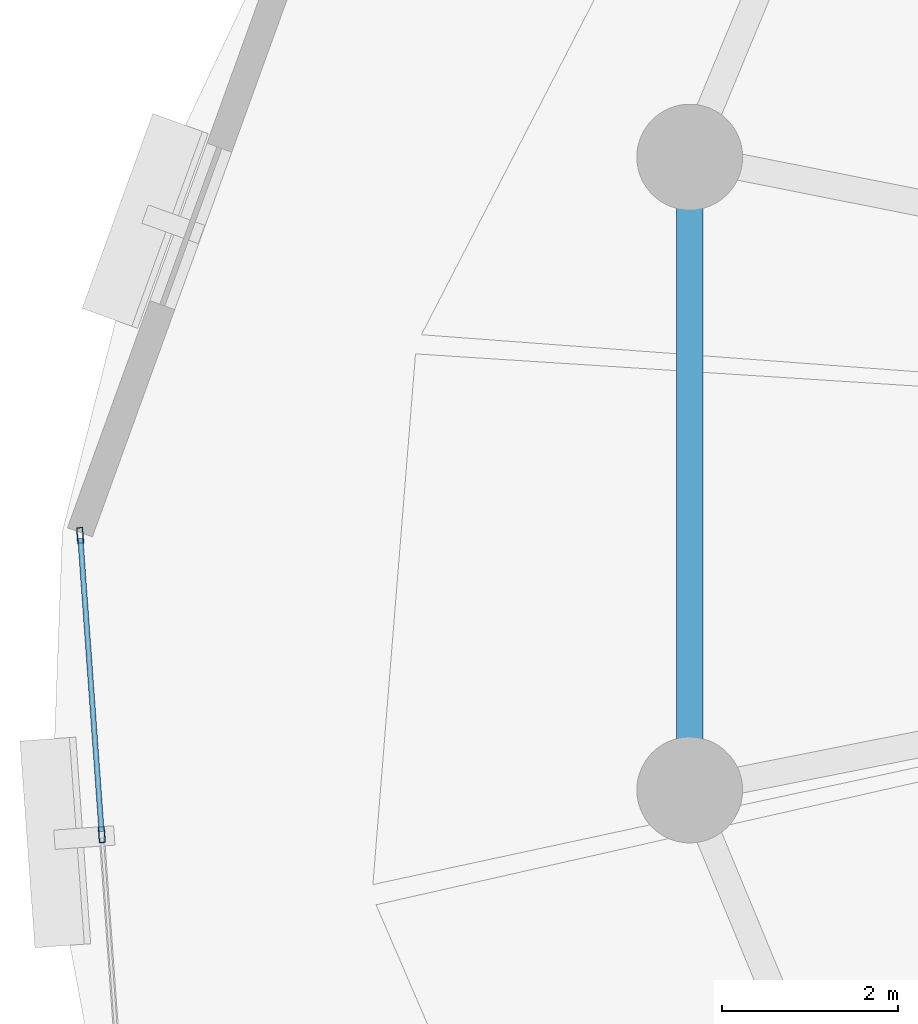
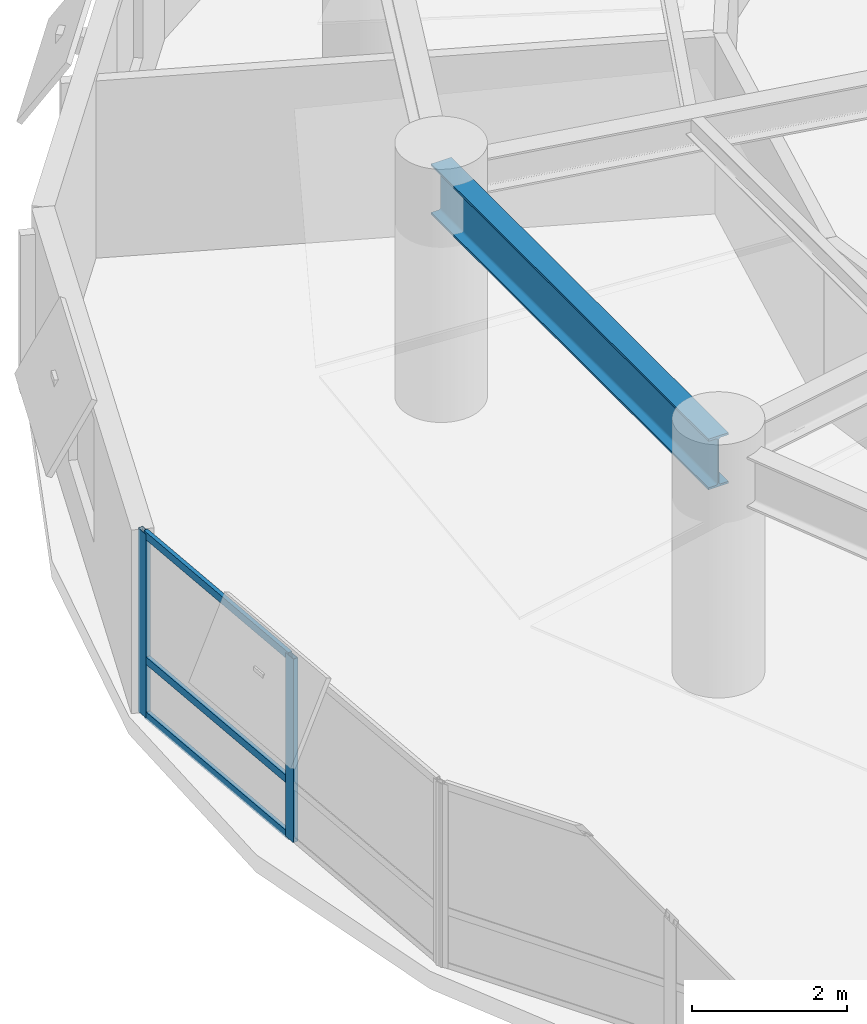
# One storey, part 4 of 15: 5 members, 1 beam, 1 element without a shape of its own.
"""IFC4 building model written with IfcOpenShell, lengths in metres."""

from ifc_helpers import new_model, si_unit, direction, frame, origin, origin_2d, place, context, subcontext, project, spatial, hollow_rectangle, i_section, extrude, material, layer, layer_set, material_profile, profile_set, type_object, element, aggregate, save


model = new_model("IFC4")

# Units and contexts
model_context = context("Model", 3, precision=1e-05, world=origin(), true_north=direction((0.0, 1.0)))
body_context = subcontext(model_context, "Body", "Model", "MODEL_VIEW")
ifc_project = project(units=[si_unit("LENGTHUNIT", "METRE"), si_unit("AREAUNIT", "SQUARE_METRE"), si_unit("VOLUMEUNIT", "CUBIC_METRE"), si_unit("PLANEANGLEUNIT", "RADIAN"), si_unit("MASSUNIT", "GRAM", prefix="KILO"), si_unit("THERMODYNAMICTEMPERATUREUNIT", "KELVIN"), si_unit("POWERUNIT", "WATT")], contexts=[model_context])

# Site, building, storey
site_placement = place(None, origin())
site = spatial("IfcSite", under=ifc_project, at=site_placement, CompositionType="ELEMENT")
building_placement = place(site_placement, origin())
building = spatial("IfcBuilding", under=site, at=building_placement, Name="Ocrelia Relay Tower", CompositionType="ELEMENT")
storey_placement = place(building_placement, frame((0.0, 0.0, 105.800048828125)))
storey = spatial("IfcBuildingStorey", under=building, at=storey_placement, Name="L24", CompositionType="ELEMENT", Elevation=105.800048828125)

# Beam
ifc_material_1 = material(Name="Steel S355", Category="steel")
ifc_material_profile_1 = material_profile(ifc_material_1, i_section(OverallWidth=0.300048828125, OverallDepth=0.800048828125, WebThickness=0.017578125, FlangeThickness=0.032958984375, FilletRadius=0.030029296875, at=origin_2d()), Name="HEB 800")
ifc_profile_set_1 = profile_set([ifc_material_profile_1], Name="Steel S355")
beam_type = type_object("IfcBeamType", Name="BM-HEB800", PredefinedType="BEAM", material=ifc_profile_set_1)
beam_placement = place(storey_placement, frame((15.95361328125, 29.589599609375, 3.320068359375), z_axis=(0.0, -1.0, 0.0), x_axis=(1.0, 0.0, 0.0)))
element("IfcBeam", 1, at=beam_placement, inside=storey, type_object=beam_type, Name="L24 Perimeter Spandrel Beam S08", PredefinedType="BEAM", context=body_context, shape_type="SweptSolid", body=[
    extrude(i_section(OverallWidth=0.300048828125, OverallDepth=0.800048828125, WebThickness=0.017578125, FlangeThickness=0.032958984375, FilletRadius=0.030029296875, at=origin_2d()), origin(), (0.0, 0.0, 1.0), 7.17919921875),
])

# Curtain wall, members
ifc_material_2 = material(Name="Aluminium and solar-control low-E glass", Category="aluminium")
ifc_layer = layer(ifc_material_2, 0.179931640625, Name="Aluminium and solar-control low-E glass")
ifc_layer_set = layer_set([ifc_layer], Name="Aluminium and solar-control low-E glass")
curtain_wall_type = type_object("IfcCurtainWallType", Name="CW-SYS-Z2-SWIT", PredefinedType="NOTDEFINED", material=ifc_layer_set)
curtain_wall_placement = place(storey_placement, origin())
curtain_wall = element("IfcCurtainWall", 2, at=curtain_wall_placement, inside=storey, type_object=curtain_wall_type, Name="L24 Elliptical Tower Curtain Wall Bay 09", PredefinedType="NOTDEFINED")
ifc_material_3 = material(Name="Anodised bronze aluminium", Category="aluminium")
ifc_material_profile_2 = material_profile(ifc_material_3, hollow_rectangle(XDim=0.070068359375, YDim=0.179931640625, WallThickness=0.006103515625, at=origin_2d()), Name="CW-MUL-180x70")
ifc_profile_set_2 = profile_set([ifc_material_profile_2], Name="Anodised bronze aluminium")
member_type_1 = type_object("IfcMemberType", Name="CW-SYS-Z2-SWIT-MUL", PredefinedType="MULLION", material=ifc_profile_set_2)
member_1_placement = place(storey_placement, frame((9.038818359375, 25.298828125, 0.0), z_axis=(0.0, 0.0, 1.0), x_axis=(0.997402458777, 0.072030099448, 0.0)))
member_1 = element("IfcMember", 3, at=member_1_placement, type_object=member_type_1, Name="CW-Z2 mullion 1", PredefinedType="MULLION", context=body_context, shape_type="SweptSolid", body=[
    extrude(hollow_rectangle(XDim=0.070068359375, YDim=0.179931640625, WallThickness=0.006103515625, at=origin_2d()), origin(), (0.0, 0.0, 1.0), 2.89990234375),
])
member_2_placement = place(storey_placement, frame((9.283935546875, 21.9033203125, 0.0), z_axis=(0.0, 0.0, 1.0), x_axis=(0.997402458777, 0.072030099448, 0.0)))
member_2 = element("IfcMember", 4, at=member_2_placement, type_object=member_type_1, Name="CW-Z2 mullion 2", PredefinedType="MULLION", context=body_context, shape_type="SweptSolid", body=[
    extrude(hollow_rectangle(XDim=0.070068359375, YDim=0.179931640625, WallThickness=0.006103515625, at=origin_2d()), origin(), (0.0, 0.0, 1.0), 2.89990234375),
])
ifc_material_profile_3 = material_profile(ifc_material_3, hollow_rectangle(XDim=0.06005859375, YDim=0.1201171875, WallThickness=0.0048828125, at=origin_2d()), Name="CW-TRN-120x60")
ifc_profile_set_3 = profile_set([ifc_material_profile_3], Name="Anodised bronze aluminium")
member_type_2 = type_object("IfcMemberType", Name="CW-SYS-Z2-SWIT-TRN", PredefinedType="USERDEFINED", material=ifc_profile_set_3)
member_3_placement = place(storey_placement, frame((9.041259765625, 25.263916015625, 0.030029296875), z_axis=(0.072043095926, -0.997401520116, 0.0), x_axis=(0.997401520116, 0.072043095926, 0.0)))
member_3 = element("IfcMember", 5, at=member_3_placement, type_object=member_type_2, Name="CW-Z2 transom 1.1", ObjectType="TRANSOM", PredefinedType="USERDEFINED", context=body_context, shape_type="SweptSolid", body=[
    extrude(hollow_rectangle(XDim=0.06005859375, YDim=0.1201171875, WallThickness=0.0048828125, at=origin_2d()), origin(), (0.0, 0.0, 1.0), 3.33447265625),
])
member_4_placement = place(storey_placement, frame((9.041259765625, 25.263916015625, 0.89990234375), z_axis=(0.072043095926, -0.997401520116, 0.0), x_axis=(0.997401520116, 0.072043095926, 0.0)))
member_4 = element("IfcMember", 6, at=member_4_placement, type_object=member_type_2, Name="CW-Z2 transom 1.2", ObjectType="TRANSOM", PredefinedType="USERDEFINED", context=body_context, shape_type="SweptSolid", body=[
    extrude(hollow_rectangle(XDim=0.06005859375, YDim=0.1201171875, WallThickness=0.0048828125, at=origin_2d()), origin(), (0.0, 0.0, 1.0), 3.33447265625),
])
member_5_placement = place(storey_placement, frame((9.041259765625, 25.263916015625, 2.869873046875), z_axis=(0.072043095926, -0.997401520116, 0.0), x_axis=(0.997401520116, 0.072043095926, 0.0)))
member_5 = element("IfcMember", 7, at=member_5_placement, type_object=member_type_2, Name="CW-Z2 transom 1.3", ObjectType="TRANSOM", PredefinedType="USERDEFINED", context=body_context, shape_type="SweptSolid", body=[
    extrude(hollow_rectangle(XDim=0.06005859375, YDim=0.1201171875, WallThickness=0.0048828125, at=origin_2d()), origin(), (0.0, 0.0, 1.0), 3.33447265625),
])
aggregate(curtain_wall, [member_1, member_2, member_3, member_4, member_5])

save(model, "model.ifc")
